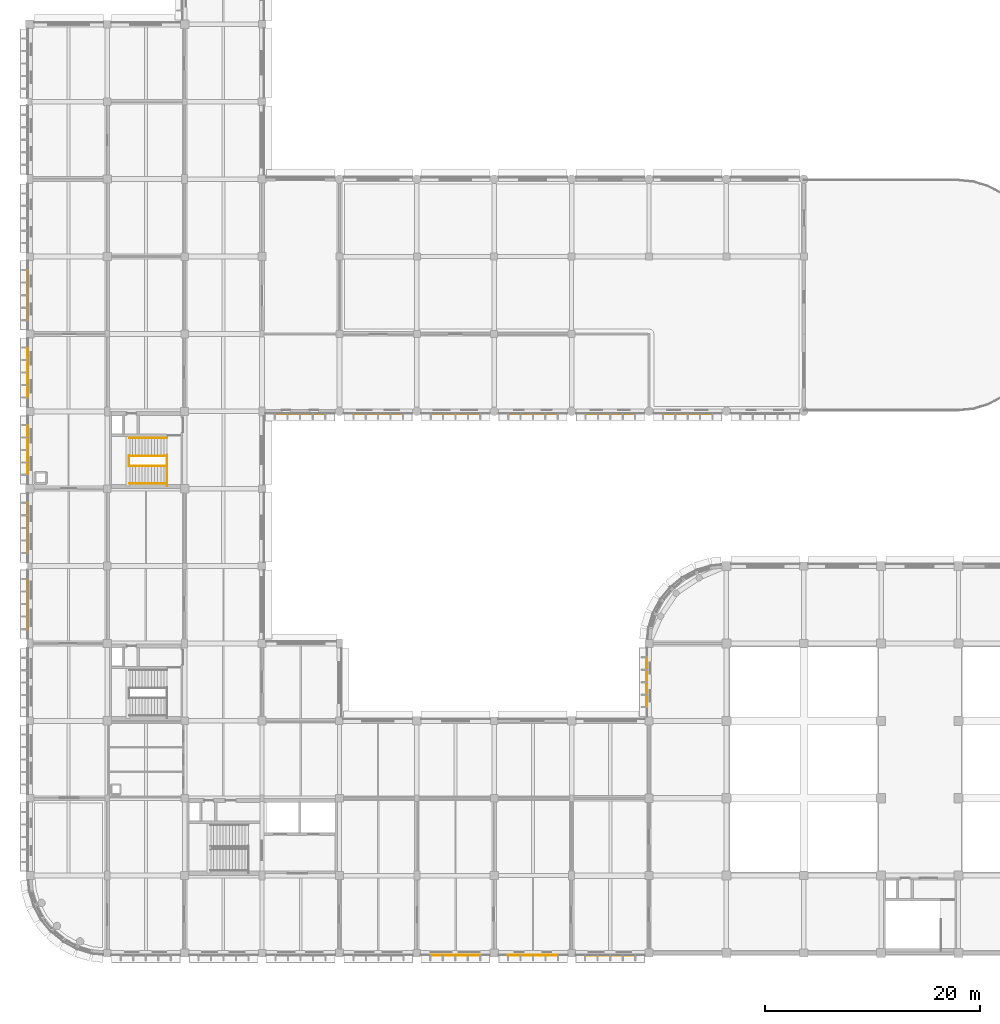
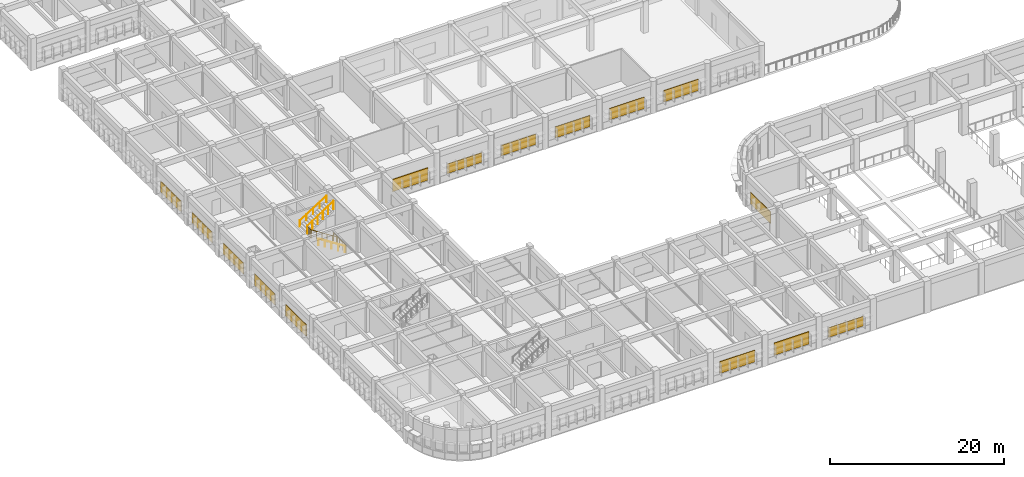
# One storey, part 56 of 61: 15 shading devices, 6 railings.
"""IFC4 building model written with IfcOpenShell, lengths in metres."""

from ifc_helpers import new_model, si_unit, direction, frame, origin, origin_2d, place, context, subcontext, project, spatial, rectangle, circle, extrude, material, layer, layer_set, type_object, element, save


model = new_model("IFC4")

# Units and contexts
model_context = context("Model", 3, precision=1e-05, world=origin(), true_north=direction((0.0, 1.0)))
body_context = subcontext(model_context, "Body", "Model", "MODEL_VIEW")
ifc_project = project(units=[si_unit("LENGTHUNIT", "METRE"), si_unit("AREAUNIT", "SQUARE_METRE"), si_unit("VOLUMEUNIT", "CUBIC_METRE"), si_unit("PLANEANGLEUNIT", "RADIAN"), si_unit("MASSUNIT", "GRAM", prefix="KILO")], contexts=[model_context])

# Site, building, storey
site_placement = place(None, origin())
site = spatial("IfcSite", under=ifc_project, at=site_placement, CompositionType="ELEMENT")
building_placement = place(site_placement, origin())
building = spatial("IfcBuilding", under=site, at=building_placement, Name="Thalmaran Polytechnic", CompositionType="ELEMENT")
storey_placement = place(building_placement, frame((0.0, 0.0, 9.89990234375)))
storey = spatial("IfcBuildingStorey", under=building, at=storey_placement, Name="L02", CompositionType="ELEMENT", Elevation=9.89990234375)

# Railings
ifc_material_1 = material(Name="Stainless steel 316", Category="steel")
railing_type_1 = type_object("IfcRailingType", Name="RL-GR01", PredefinedType="GUARDRAIL", material=ifc_material_1)
railing_1_placement = place(storey_placement, frame((12.77001953125, 43.449951171875, 0.0)))
element("IfcRailing", 1, at=railing_1_placement, inside=storey, type_object=railing_type_1, Name="ST4 L02 Landing Edge Guardrail", PredefinedType="GUARDRAIL", context=body_context, shape_type="SweptSolid", body=[
    extrude(circle(Radius=0.02392578125, at=origin_2d()), frame((0.0, 0.0, 1.1259765625), z_axis=(0.0, 1.0, 0.0), x_axis=(-1.0, 0.0, 0.0)), (0.0, 0.0, 1.0), 2.8701171875),
    extrude(circle(Radius=0.02099609375, at=origin_2d()), origin(), (0.0, 0.0, 1.0), 1.101806640625),
    extrude(circle(Radius=0.02099609375, at=origin_2d()), frame((0.0, 0.717529296875, 0.0)), (0.0, 0.0, 1.0), 1.101806640625),
    extrude(circle(Radius=0.02099609375, at=origin_2d()), frame((0.0, 1.43505859375, 0.0)), (0.0, 0.0, 1.0), 1.101806640625),
    extrude(circle(Radius=0.02099609375, at=origin_2d()), frame((0.0, 2.152587890625, 0.0)), (0.0, 0.0, 1.0), 1.101806640625),
    extrude(circle(Radius=0.02099609375, at=origin_2d()), frame((0.0, 2.8701171875, 0.0)), (0.0, 0.0, 1.0), 1.101806640625),
])
railing_2_placement = place(storey_placement, frame((12.760009765625, 45.320068359375, 0.0)))
element("IfcRailing", 2, at=railing_2_placement, inside=storey, type_object=railing_type_1, Name="ST4 L02 Lower Flight Guardrail", PredefinedType="GUARDRAIL", context=body_context, shape_type="SweptSolid", body=[
    extrude(circle(Radius=0.02392578125, at=origin_2d()), frame((0.0, 0.0, 1.1259765625), z_axis=(-0.841178475377, 0.0, 0.540757591313), x_axis=(0.0, -1.0, 0.0)), (0.0, 0.0, 1.0), 4.160888671875),
    extrude(circle(Radius=0.02099609375, at=origin_2d()), origin(), (0.0, 0.0, 1.0), 1.101806640625),
    extrude(circle(Radius=0.02099609375, at=origin_2d()), frame((-0.699951171875, 0.0, 0.449951171875)), (0.0, 0.0, 1.0), 1.101806640625),
    extrude(circle(Radius=0.02099609375, at=origin_2d()), frame((-1.39990234375, 0.0, 0.89990234375)), (0.0, 0.0, 1.0), 1.101806640625),
    extrude(circle(Radius=0.02099609375, at=origin_2d()), frame((-2.10009765625, 0.0, 1.35009765625)), (0.0, 0.0, 1.0), 1.101806640625),
    extrude(circle(Radius=0.02099609375, at=origin_2d()), frame((-2.800048828125, 0.0, 1.800048828125)), (0.0, 0.0, 1.0), 1.101806640625),
    extrude(circle(Radius=0.02099609375, at=origin_2d()), frame((-3.5, 0.0, 2.25)), (0.0, 0.0, 1.0), 1.101806640625),
])
railing_3_placement = place(storey_placement, frame((9.219970703125, 45.300048828125, 2.25)))
element("IfcRailing", 3, at=railing_3_placement, inside=storey, type_object=railing_type_1, Name="ST4 L02 Half-Landing Well Guardrail", PredefinedType="GUARDRAIL", context=body_context, shape_type="SweptSolid", body=[
    extrude(circle(Radius=0.02392578125, at=origin_2d()), frame((0.0, 0.0, 1.1259765625), z_axis=(0.0, 1.0, 0.0), x_axis=(-1.0, 0.0, 0.0)), (0.0, 0.0, 1.0), 0.97998046875),
    extrude(circle(Radius=0.02099609375, at=origin_2d()), origin(), (0.0, 0.0, 1.0), 1.101806640625),
    extrude(circle(Radius=0.02099609375, at=origin_2d()), frame((0.0, 0.32666015625, 0.0)), (0.0, 0.0, 1.0), 1.101806640625),
    extrude(circle(Radius=0.02099609375, at=origin_2d()), frame((0.0, 0.6533203125, 0.0)), (0.0, 0.0, 1.0), 1.101806640625),
    extrude(circle(Radius=0.02099609375, at=origin_2d()), frame((0.0, 0.97998046875, 0.0)), (0.0, 0.0, 1.0), 1.101806640625),
])
railing_4_placement = place(storey_placement, frame((9.260009765625, 46.260009765625, 2.25)))
element("IfcRailing", 4, at=railing_4_placement, inside=storey, type_object=railing_type_1, Name="ST4 L02 Upper Flight Guardrail", PredefinedType="GUARDRAIL", context=body_context, shape_type="SweptSolid", body=[
    extrude(circle(Radius=0.02392578125, at=origin_2d()), frame((0.0, 0.0, 1.1259765625), z_axis=(0.841178475377, 0.0, 0.540757591313), x_axis=(0.0, 1.0, 0.0)), (0.0, 0.0, 1.0), 4.160888671875),
    extrude(circle(Radius=0.02099609375, at=origin_2d()), origin(), (0.0, 0.0, 1.0), 1.101806640625),
    extrude(circle(Radius=0.02099609375, at=origin_2d()), frame((0.699951171875, 0.0, 0.449951171875)), (0.0, 0.0, 1.0), 1.101806640625),
    extrude(circle(Radius=0.02099609375, at=origin_2d()), frame((1.39990234375, 0.0, 0.89990234375)), (0.0, 0.0, 1.0), 1.101806640625),
    extrude(circle(Radius=0.02099609375, at=origin_2d()), frame((2.10009765625, 0.0, 1.35009765625)), (0.0, 0.0, 1.0), 1.101806640625),
    extrude(circle(Radius=0.02099609375, at=origin_2d()), frame((2.800048828125, 0.0, 1.800048828125)), (0.0, 0.0, 1.0), 1.101806640625),
    extrude(circle(Radius=0.02099609375, at=origin_2d()), frame((3.5, 0.0, 2.25)), (0.0, 0.0, 1.0), 1.101806640625),
])
railing_type_2 = type_object("IfcRailingType", Name="RL-HR01", PredefinedType="HANDRAIL", material=ifc_material_1)
railing_5_placement = place(storey_placement, frame((12.760009765625, 43.679931640625, 0.0)))
element("IfcRailing", 5, at=railing_5_placement, inside=storey, type_object=railing_type_2, Name="ST4 L02 Flight 1 Handrail", PredefinedType="HANDRAIL", context=body_context, shape_type="SweptSolid", body=[
    extrude(circle(Radius=0.02392578125, at=origin_2d()), frame((0.0, 0.0, 0.8759765625), z_axis=(-0.841178475377, 0.0, 0.540757591313), x_axis=(0.0, -1.0, 0.0)), (0.0, 0.0, 1.0), 4.160888671875),
    extrude(circle(Radius=0.02099609375, at=origin_2d()), origin(), (0.0, 0.0, 1.0), 0.851806640625),
    extrude(circle(Radius=0.02099609375, at=origin_2d()), frame((-0.875, 0.0, 0.5625)), (0.0, 0.0, 1.0), 0.851806640625),
    extrude(circle(Radius=0.02099609375, at=origin_2d()), frame((-1.75, 0.0, 1.125)), (0.0, 0.0, 1.0), 0.851806640625),
    extrude(circle(Radius=0.02099609375, at=origin_2d()), frame((-2.625, 0.0, 1.6875)), (0.0, 0.0, 1.0), 0.851806640625),
    extrude(circle(Radius=0.02099609375, at=origin_2d()), frame((-3.5, 0.0, 2.25)), (0.0, 0.0, 1.0), 0.851806640625),
])
railing_6_placement = place(storey_placement, frame((9.260009765625, 47.919921875, 2.25)))
element("IfcRailing", 6, at=railing_6_placement, inside=storey, type_object=railing_type_2, Name="ST4 L02 Flight 2 Handrail", PredefinedType="HANDRAIL", context=body_context, shape_type="SweptSolid", body=[
    extrude(circle(Radius=0.02392578125, at=origin_2d()), frame((0.0, 0.0, 0.8759765625), z_axis=(0.841178475377, 0.0, 0.540757591313), x_axis=(0.0, 1.0, 0.0)), (0.0, 0.0, 1.0), 4.160888671875),
    extrude(circle(Radius=0.02099609375, at=origin_2d()), origin(), (0.0, 0.0, 1.0), 0.851806640625),
    extrude(circle(Radius=0.02099609375, at=origin_2d()), frame((0.875, 0.0, 0.5625)), (0.0, 0.0, 1.0), 0.851806640625),
    extrude(circle(Radius=0.02099609375, at=origin_2d()), frame((1.75, 0.0, 1.125)), (0.0, 0.0, 1.0), 0.851806640625),
    extrude(circle(Radius=0.02099609375, at=origin_2d()), frame((2.625, 0.0, 1.6875)), (0.0, 0.0, 1.0), 0.851806640625),
    extrude(circle(Radius=0.02099609375, at=origin_2d()), frame((3.5, 0.0, 2.25)), (0.0, 0.0, 1.0), 0.851806640625),
])

# Shading devices
ifc_material_2 = material(Name="Perforated anodised-bronze aluminium screen", Category="aluminium")
ifc_layer = layer(ifc_material_2, 0.080078125, Name="Perforated anodised-bronze aluminium screen")
ifc_layer_set = layer_set([ifc_layer], Name="Perforated anodised-bronze aluminium screen")
shading_device_type = type_object("IfcShadingDeviceType", Name="SH-JL01", PredefinedType="JALOUSIE", material=ifc_layer_set)
shading_device_1_placement = place(storey_placement, frame((-0.219970703125, 32.39990234375, 1.025146484375), z_axis=(0.0, 0.0, 1.0), x_axis=(0.0, 1.0, 0.0)))
element("IfcShadingDevice", 7, at=shading_device_1_placement, inside=storey, type_object=shading_device_type, Name="Anodised-Bronze Mashrabiya Solar Screen L02-005", PredefinedType="JALOUSIE", context=body_context, shape_type="SweptSolid", body=[
    extrude(rectangle(XDim=4.662109375, YDim=0.080078125, at=origin_2d()), origin(), (0.0, 0.0, 1.0), 1.60009765625),
])
shading_device_2_placement = place(storey_placement, frame((-0.219970703125, 39.60009765625, 1.02490234375), z_axis=(0.0, 0.0, 1.0), x_axis=(0.0, 1.0, 0.0)))
element("IfcShadingDevice", 8, at=shading_device_2_placement, inside=storey, type_object=shading_device_type, Name="Anodised-Bronze Mashrabiya Solar Screen L02-006", PredefinedType="JALOUSIE", context=body_context, shape_type="SweptSolid", body=[
    extrude(rectangle(XDim=4.687255859375, YDim=0.080078125, at=origin_2d()), origin(), (0.0, 0.0, 1.0), 1.550048828125),
])
shading_device_3_placement = place(storey_placement, frame((-0.219970703125, 46.800048828125, 1.025146484375), z_axis=(0.0, 0.0, 1.0), x_axis=(0.0, 1.0, 0.0)))
element("IfcShadingDevice", 9, at=shading_device_3_placement, inside=storey, type_object=shading_device_type, Name="Anodised-Bronze Mashrabiya Solar Screen L02-007", PredefinedType="JALOUSIE", context=body_context, shape_type="SweptSolid", body=[
    extrude(rectangle(XDim=4.63330078125, YDim=0.080078125, at=origin_2d()), origin(), (0.0, 0.0, 1.0), 1.5),
])
shading_device_4_placement = place(storey_placement, frame((-0.219970703125, 54.0, 1.02490234375), z_axis=(0.0, 0.0, 1.0), x_axis=(0.0, 1.0, 0.0)))
element("IfcShadingDevice", 10, at=shading_device_4_placement, inside=storey, type_object=shading_device_type, Name="Anodised-Bronze Mashrabiya Solar Screen L02-008", PredefinedType="JALOUSIE", context=body_context, shape_type="SweptSolid", body=[
    extrude(rectangle(XDim=4.65478515625, YDim=0.080078125, at=origin_2d()), origin(), (0.0, 0.0, 1.0), 1.449951171875),
])
shading_device_5_placement = place(storey_placement, frame((-0.219970703125, 61.199951171875, 1.02490234375), z_axis=(0.0, 0.0, 1.0), x_axis=(0.0, 1.0, 0.0)))
element("IfcShadingDevice", 11, at=shading_device_5_placement, inside=storey, type_object=shading_device_type, Name="Anodised-Bronze Mashrabiya Solar Screen L02-009", PredefinedType="JALOUSIE", context=body_context, shape_type="SweptSolid", body=[
    extrude(rectangle(XDim=4.6728515625, YDim=0.080078125, at=origin_2d()), origin(), (0.0, 0.0, 1.0), 1.449951171875),
])
shading_device_6_placement = place(storey_placement, frame((54.0, -0.219970703125, 1.025146484375), z_axis=(0.0, 0.0, 1.0), x_axis=(-1.0, 0.0, 0.0)))
element("IfcShadingDevice", 12, at=shading_device_6_placement, inside=storey, type_object=shading_device_type, Name="Anodised-Bronze Mashrabiya Solar Screen L02-085", PredefinedType="JALOUSIE", context=body_context, shape_type="SweptSolid", body=[
    extrude(rectangle(XDim=4.662109375, YDim=0.080078125, at=origin_2d()), origin(), (0.0, 0.0, 1.0), 1.35009765625),
])
shading_device_7_placement = place(storey_placement, frame((46.800048828125, -0.219970703125, 1.025146484375), z_axis=(0.0, 0.0, 1.0), x_axis=(-1.0, 0.0, 0.0)))
element("IfcShadingDevice", 13, at=shading_device_7_placement, inside=storey, type_object=shading_device_type, Name="Anodised-Bronze Mashrabiya Solar Screen L02-086", PredefinedType="JALOUSIE", context=body_context, shape_type="SweptSolid", body=[
    extrude(rectangle(XDim=4.651123046875, YDim=0.080078125, at=origin_2d()), origin(), (0.0, 0.0, 1.0), 1.75),
])
shading_device_8_placement = place(storey_placement, frame((39.60009765625, -0.219970703125, 1.025146484375), z_axis=(0.0, 0.0, 1.0), x_axis=(-1.0, 0.0, 0.0)))
element("IfcShadingDevice", 14, at=shading_device_8_placement, inside=storey, type_object=shading_device_type, Name="Anodised-Bronze Mashrabiya Solar Screen L02-087", PredefinedType="JALOUSIE", context=body_context, shape_type="SweptSolid", body=[
    extrude(rectangle(XDim=4.651123046875, YDim=0.080078125, at=origin_2d()), origin(), (0.0, 0.0, 1.0), 1.64990234375),
])
for number, where, z_axis, x_axis, name in (
    (15, (61.199951171875, 50.179931640625, 1.025146484375), (0.0, 0.0, 1.0), (-1.0, 0.0, 0.0), "Anodised-Bronze Mashrabiya Solar Screen L02-123"),
    (16, (54.0, 50.179931640625, 1.025146484375), (0.0, 0.0, 1.0), (-1.0, 0.0, 0.0), "Anodised-Bronze Mashrabiya Solar Screen L02-124"),
):
    element("IfcShadingDevice", number, at=place(storey_placement, frame(where, z_axis=z_axis, x_axis=x_axis)), inside=storey, type_object=shading_device_type, Name=name, PredefinedType="JALOUSIE", context=body_context, shape_type="SweptSolid", body=[
        extrude(rectangle(XDim=4.60791015625, YDim=0.080078125, at=origin_2d()), origin(), (0.0, 0.0, 1.0), 1.60009765625),
    ])
shading_device_9_placement = place(storey_placement, frame((46.800048828125, 50.179931640625, 1.02490234375), z_axis=(0.0, 0.0, 1.0), x_axis=(-1.0, 0.0, 0.0)))
element("IfcShadingDevice", 17, at=shading_device_9_placement, inside=storey, type_object=shading_device_type, Name="Anodised-Bronze Mashrabiya Solar Screen L02-125", PredefinedType="JALOUSIE", context=body_context, shape_type="SweptSolid", body=[
    extrude(rectangle(XDim=4.60791015625, YDim=0.080078125, at=origin_2d()), origin(), (0.0, 0.0, 1.0), 1.550048828125),
])
shading_device_10_placement = place(storey_placement, frame((39.60009765625, 50.179931640625, 1.02490234375), z_axis=(0.0, 0.0, 1.0), x_axis=(-1.0, 0.0, 0.0)))
element("IfcShadingDevice", 18, at=shading_device_10_placement, inside=storey, type_object=shading_device_type, Name="Anodised-Bronze Mashrabiya Solar Screen L02-126", PredefinedType="JALOUSIE", context=body_context, shape_type="SweptSolid", body=[
    extrude(rectangle(XDim=4.60791015625, YDim=0.080078125, at=origin_2d()), origin(), (0.0, 0.0, 1.0), 1.449951171875),
])
shading_device_11_placement = place(storey_placement, frame((32.39990234375, 50.179931640625, 1.025146484375), z_axis=(0.0, 0.0, 1.0), x_axis=(-1.0, 0.0, 0.0)))
element("IfcShadingDevice", 19, at=shading_device_11_placement, inside=storey, type_object=shading_device_type, Name="Anodised-Bronze Mashrabiya Solar Screen L02-127", PredefinedType="JALOUSIE", context=body_context, shape_type="SweptSolid", body=[
    extrude(rectangle(XDim=4.60791015625, YDim=0.080078125, at=origin_2d()), origin(), (0.0, 0.0, 1.0), 1.35009765625),
])
shading_device_12_placement = place(storey_placement, frame((25.199951171875, 50.179931640625, 1.025146484375), z_axis=(0.0, 0.0, 1.0), x_axis=(-1.0, 0.0, 0.0)))
element("IfcShadingDevice", 20, at=shading_device_12_placement, inside=storey, type_object=shading_device_type, Name="Anodised-Bronze Mashrabiya Solar Screen L02-128", PredefinedType="JALOUSIE", context=body_context, shape_type="SweptSolid", body=[
    extrude(rectangle(XDim=4.697998046875, YDim=0.080078125, at=origin_2d()), origin(), (0.0, 0.0, 1.0), 1.75),
])
shading_device_13_placement = place(storey_placement, frame((57.3798828125, 25.199951171875, 1.025146484375), z_axis=(0.0, 0.0, 1.0), x_axis=(0.0, 1.0, 0.0)))
element("IfcShadingDevice", 21, at=shading_device_13_placement, inside=storey, type_object=shading_device_type, Name="Anodised-Bronze Mashrabiya Solar Screen L02-138", PredefinedType="JALOUSIE", context=body_context, shape_type="SweptSolid", body=[
    extrude(rectangle(XDim=4.64404296875, YDim=0.080078125, at=origin_2d()), origin(), (0.0, 0.0, 1.0), 1.60009765625),
])

save(model, "model.ifc")
